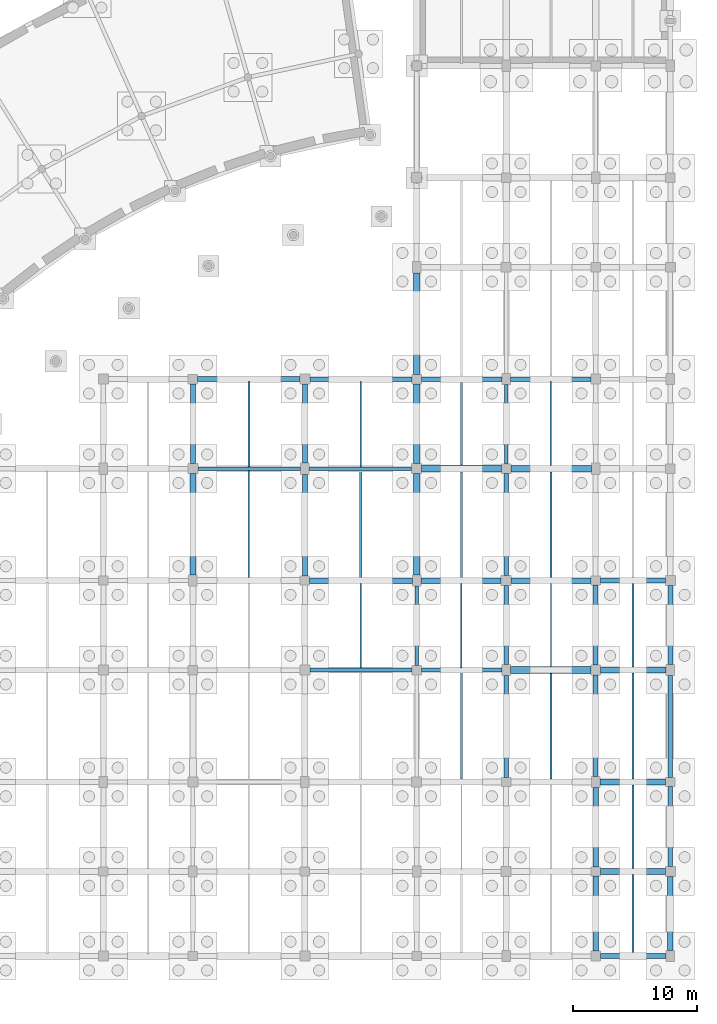
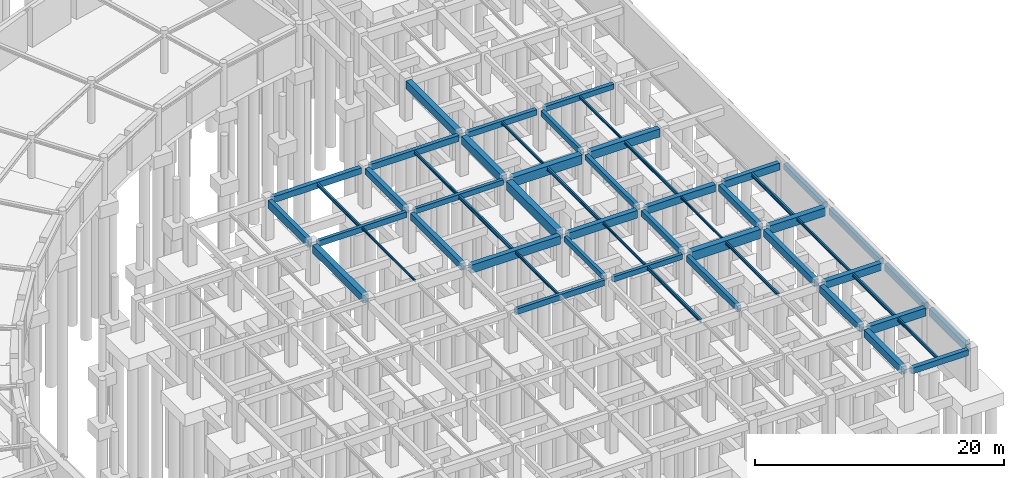
# One storey, part 25 of 42: 56 beams.
"""IFC4 building model written with IfcOpenShell, lengths in metres."""

from ifc_helpers import new_model, si_unit, direction, frame, origin, origin_2d, place, context, subcontext, project, spatial, rectangle, i_section, extrude, material, material_profile, profile_set, type_object, element, save


model = new_model("IFC4")

# Units and contexts
model_context = context("Model", 3, precision=1e-05, world=origin(), true_north=direction((0.0, 1.0)))
body_context = subcontext(model_context, "Body", "Model", "MODEL_VIEW")
ifc_project = project(units=[si_unit("LENGTHUNIT", "METRE"), si_unit("AREAUNIT", "SQUARE_METRE"), si_unit("VOLUMEUNIT", "CUBIC_METRE"), si_unit("PLANEANGLEUNIT", "RADIAN"), si_unit("MASSUNIT", "GRAM", prefix="KILO")], contexts=[model_context])

# Site, building, storey
site_placement = place(None, origin())
site = spatial("IfcSite", under=ifc_project, at=site_placement, CompositionType="ELEMENT")
building_placement = place(site_placement, origin())
building = spatial("IfcBuilding", under=site, at=building_placement, Name="Clarverna Civic Hall", CompositionType="ELEMENT")
storey_placement = place(building_placement, frame((0.0, 0.0, -4.199951171875)))
storey = spatial("IfcBuildingStorey", under=building, at=storey_placement, Name="B01", CompositionType="ELEMENT", Elevation=-4.199951171875)

# Beams
ifc_material_1 = material(Name="Concrete C35/45", Category="concrete")
ifc_material_profile_1 = material_profile(ifc_material_1, rectangle(XDim=0.35009765625, YDim=0.5, at=origin_2d()), Name="RC 350x500")
ifc_profile_set_1 = profile_set([ifc_material_profile_1], Name="Concrete C35/45")
beam_type_1 = type_object("IfcBeamType", Name="B-RC10", PredefinedType="BEAM", material=ifc_profile_set_1)
beam_1_placement = place(storey_placement, frame((155.14990234375, 46.39990234375, 3.699951171875), z_axis=(1.0, 0.0, 0.0), x_axis=(0.0, 1.0, 0.0)))
element("IfcBeam", 1, at=beam_1_placement, inside=storey, type_object=beam_type_1, Name="B-RC10-005", PredefinedType="BEAM", context=body_context, shape_type="SweptSolid", body=[
    extrude(rectangle(XDim=0.35009765625, YDim=0.5, at=origin_2d()), origin(), (0.0, 0.0, 1.0), 6.4501953125),
])
beam_2_placement = place(storey_placement, frame((154.800048828125, 30.60009765625, 3.699951171875), z_axis=(0.0, 1.0, 0.0), x_axis=(-1.0, 0.0, 0.0)))
element("IfcBeam", 2, at=beam_2_placement, inside=storey, type_object=beam_type_1, Name="B-RC10-016", PredefinedType="BEAM", context=body_context, shape_type="SweptSolid", body=[
    extrude(rectangle(XDim=0.35009765625, YDim=0.5, at=origin_2d()), origin(), (0.0, 0.0, 1.0), 8.224853515625),
])
ifc_material_profile_2 = material_profile(ifc_material_1, rectangle(XDim=0.300048828125, YDim=0.550048828125, at=origin_2d()), Name="RC 300x550")
ifc_profile_set_2 = profile_set([ifc_material_profile_2], Name="Concrete C35/45")
beam_type_2 = type_object("IfcBeamType", Name="B-RC11", PredefinedType="BEAM", material=ifc_profile_set_2)
beam_3_placement = place(storey_placement, frame((139.0, 23.0, 3.675048828125), z_axis=(1.0, 0.0, 0.0), x_axis=(0.0, 1.0, 0.0)))
element("IfcBeam", 3, at=beam_3_placement, inside=storey, type_object=beam_type_2, Name="B-RC11-003", PredefinedType="BEAM", context=body_context, shape_type="SweptSolid", body=[
    extrude(rectangle(XDim=0.300048828125, YDim=0.550048828125, at=origin_2d()), origin(), (0.0, 0.0, 1.0), 8.22509765625),
])
beam_4_placement = place(storey_placement, frame((130.0, 39.199951171875, 3.675048828125), z_axis=(1.0, 0.0, 0.0), x_axis=(0.0, 1.0, 0.0)))
element("IfcBeam", 4, at=beam_4_placement, inside=storey, type_object=beam_type_2, Name="B-RC11-004", PredefinedType="BEAM", context=body_context, shape_type="SweptSolid", body=[
    extrude(rectangle(XDim=0.300048828125, YDim=0.550048828125, at=origin_2d()), origin(), (0.0, 0.0, 1.0), 8.25),
])
beam_5_placement = place(storey_placement, frame((154.800048828125, 39.574951171875, 3.675048828125), z_axis=(0.0, 1.0, 0.0), x_axis=(-1.0, 0.0, 0.0)))
element("IfcBeam", 5, at=beam_5_placement, inside=storey, type_object=beam_type_2, Name="B-RC11-016", PredefinedType="BEAM", context=body_context, shape_type="SweptSolid", body=[
    extrude(rectangle(XDim=0.300048828125, YDim=0.550048828125, at=origin_2d()), origin(), (0.0, 0.0, 1.0), 6.375),
])
ifc_material_profile_3 = material_profile(ifc_material_1, rectangle(XDim=0.300048828125, YDim=0.5, at=origin_2d()), Name="RC 300x500")
ifc_profile_set_3 = profile_set([ifc_material_profile_3], Name="Concrete C35/45")
beam_type_3 = type_object("IfcBeamType", Name="B-RC12", PredefinedType="BEAM", material=ifc_profile_set_3)
beam_6_placement = place(storey_placement, frame((147.97509765625, 23.0, 3.699951171875), z_axis=(1.0, 0.0, 0.0), x_axis=(0.0, 1.0, 0.0)))
element("IfcBeam", 6, at=beam_6_placement, inside=storey, type_object=beam_type_3, Name="B-RC12-003", PredefinedType="BEAM", context=body_context, shape_type="SweptSolid", body=[
    extrude(rectangle(XDim=0.300048828125, YDim=0.5, at=origin_2d()), origin(), (0.0, 0.0, 1.0), 6.474853515625),
])
beam_7_placement = place(storey_placement, frame((138.949951171875, 39.199951171875, 3.699951171875), z_axis=(1.0, 0.0, 0.0), x_axis=(0.0, 1.0, 0.0)))
element("IfcBeam", 7, at=beam_7_placement, inside=storey, type_object=beam_type_3, Name="B-RC12-004", PredefinedType="BEAM", context=body_context, shape_type="SweptSolid", body=[
    extrude(rectangle(XDim=0.300048828125, YDim=0.5, at=origin_2d()), origin(), (0.0, 0.0, 1.0), 8.25),
])
beam_8_placement = place(storey_placement, frame((147.60009765625, 23.375, 3.699951171875), z_axis=(0.0, 1.0, 0.0), x_axis=(-1.0, 0.0, 0.0)))
element("IfcBeam", 8, at=beam_8_placement, inside=storey, type_object=beam_type_3, Name="B-RC12-016", PredefinedType="BEAM", context=body_context, shape_type="SweptSolid", body=[
    extrude(rectangle(XDim=0.300048828125, YDim=0.5, at=origin_2d()), origin(), (0.0, 0.0, 1.0), 6.375),
])
ifc_material_profile_4 = material_profile(ifc_material_1, rectangle(XDim=0.550048828125, YDim=0.89990234375, at=origin_2d()), Name="RC 550x900")
ifc_profile_set_4 = profile_set([ifc_material_profile_4], Name="Concrete C35/45")
beam_type_4 = type_object("IfcBeamType", Name="B-RC13", PredefinedType="BEAM", material=ifc_profile_set_4)
beam_9_placement = place(storey_placement, frame((155.14990234375, 23.0, 3.5), z_axis=(1.0, 0.0, 0.0), x_axis=(0.0, 1.0, 0.0)))
element("IfcBeam", 9, at=beam_9_placement, inside=storey, type_object=beam_type_4, Name="B-RC13-003", PredefinedType="BEAM", context=body_context, shape_type="SweptSolid", body=[
    extrude(rectangle(XDim=0.550048828125, YDim=0.89990234375, at=origin_2d()), origin(), (0.0, 0.0, 1.0), 6.4501953125),
])
beam_10_placement = place(storey_placement, frame((148.0, 39.199951171875, 3.5), z_axis=(1.0, 0.0, 0.0), x_axis=(0.0, 1.0, 0.0)))
element("IfcBeam", 10, at=beam_10_placement, inside=storey, type_object=beam_type_4, Name="B-RC13-004", PredefinedType="BEAM", context=body_context, shape_type="SweptSolid", body=[
    extrude(rectangle(XDim=0.550048828125, YDim=0.89990234375, at=origin_2d()), origin(), (0.0, 0.0, 1.0), 6.425048828125),
])
beam_11_placement = place(storey_placement, frame((147.60009765625, 30.64990234375, 3.5), z_axis=(0.0, 1.0, 0.0), x_axis=(-1.0, 0.0, 0.0)))
element("IfcBeam", 11, at=beam_11_placement, inside=storey, type_object=beam_type_4, Name="B-RC13-014", PredefinedType="BEAM", context=body_context, shape_type="SweptSolid", body=[
    extrude(rectangle(XDim=0.550048828125, YDim=0.89990234375, at=origin_2d()), origin(), (0.0, 0.0, 1.0), 8.150146484375),
])
ifc_material_profile_5 = material_profile(ifc_material_1, rectangle(XDim=0.5, YDim=0.800048828125, at=origin_2d()), Name="RC 500x800")
ifc_profile_set_5 = profile_set([ifc_material_profile_5], Name="Concrete C35/45")
beam_type_5 = type_object("IfcBeamType", Name="B-RC14", PredefinedType="BEAM", material=ifc_profile_set_5)
beam_12_placement = place(storey_placement, frame((162.39990234375, 23.0, 3.550048828125), z_axis=(1.0, 0.0, 0.0), x_axis=(0.0, 1.0, 0.0)))
element("IfcBeam", 12, at=beam_12_placement, inside=storey, type_object=beam_type_5, Name="B-RC14-003", PredefinedType="BEAM", context=body_context, shape_type="SweptSolid", body=[
    extrude(rectangle(XDim=0.5, YDim=0.800048828125, at=origin_2d()), origin(), (0.0, 0.0, 1.0), 5.25),
])
beam_13_placement = place(storey_placement, frame((155.175048828125, 39.199951171875, 3.550048828125), z_axis=(1.0, 0.0, 0.0), x_axis=(0.0, 1.0, 0.0)))
element("IfcBeam", 13, at=beam_13_placement, inside=storey, type_object=beam_type_5, Name="B-RC14-004", PredefinedType="BEAM", context=body_context, shape_type="SweptSolid", body=[
    extrude(rectangle(XDim=0.5, YDim=0.800048828125, at=origin_2d()), origin(), (0.0, 0.0, 1.0), 6.474853515625),
])
beam_14_placement = place(storey_placement, frame((147.60009765625, 39.60009765625, 3.550048828125), z_axis=(0.0, 1.0, 0.0), x_axis=(-1.0, 0.0, 0.0)))
element("IfcBeam", 14, at=beam_14_placement, inside=storey, type_object=beam_type_5, Name="B-RC14-015", PredefinedType="BEAM", context=body_context, shape_type="SweptSolid", body=[
    extrude(rectangle(XDim=0.5, YDim=0.800048828125, at=origin_2d()), origin(), (0.0, 0.0, 1.0), 6.4248046875),
])
ifc_material_profile_6 = material_profile(ifc_material_1, rectangle(XDim=0.5, YDim=0.75, at=origin_2d()), Name="RC 500x750")
ifc_profile_set_6 = profile_set([ifc_material_profile_6], Name="Concrete C35/45")
beam_type_6 = type_object("IfcBeamType", Name="B-RC15", PredefinedType="BEAM", material=ifc_profile_set_6)
beam_15_placement = place(storey_placement, frame((129.60009765625, 30.64990234375, 3.574951171875), z_axis=(0.0, 1.0, 0.0), x_axis=(-1.0, 0.0, 0.0)))
element("IfcBeam", 15, at=beam_15_placement, inside=storey, type_object=beam_type_6, Name="B-RC15-014", PredefinedType="BEAM", context=body_context, shape_type="SweptSolid", body=[
    extrude(rectangle(XDim=0.5, YDim=0.75, at=origin_2d()), origin(), (0.0, 0.0, 1.0), 8.150146484375),
])
beam_16_placement = place(storey_placement, frame((147.60009765625, 46.77490234375, 3.574951171875), z_axis=(0.0, 1.0, 0.0), x_axis=(-1.0, 0.0, 0.0)))
element("IfcBeam", 16, at=beam_16_placement, inside=storey, type_object=beam_type_6, Name="B-RC15-015", PredefinedType="BEAM", context=body_context, shape_type="SweptSolid", body=[
    extrude(rectangle(XDim=0.5, YDim=0.75, at=origin_2d()), origin(), (0.0, 0.0, 1.0), 8.175048828125),
])
ifc_material_profile_7 = material_profile(ifc_material_1, rectangle(XDim=0.39990234375, YDim=0.75, at=origin_2d()), Name="RC 400x750")
ifc_profile_set_7 = profile_set([ifc_material_profile_7], Name="Concrete C35/45")
beam_type_7 = type_object("IfcBeamType", Name="B-RC16", PredefinedType="BEAM", material=ifc_profile_set_7)
beam_17_placement = place(storey_placement, frame((129.60009765625, 39.60009765625, 3.574951171875), z_axis=(0.0, 1.0, 0.0), x_axis=(-1.0, 0.0, 0.0)))
element("IfcBeam", 17, at=beam_17_placement, inside=storey, type_object=beam_type_7, Name="B-RC16-014", PredefinedType="BEAM", context=body_context, shape_type="SweptSolid", body=[
    extrude(rectangle(XDim=0.39990234375, YDim=0.75, at=origin_2d()), origin(), (0.0, 0.0, 1.0), 6.4248046875),
])
ifc_material_profile_8 = material_profile(ifc_material_1, rectangle(XDim=0.449951171875, YDim=0.800048828125, at=origin_2d()), Name="RC 450x800")
ifc_profile_set_8 = profile_set([ifc_material_profile_8], Name="Concrete C35/45")
beam_type_8 = type_object("IfcBeamType", Name="B-RC2", PredefinedType="BEAM", material=ifc_profile_set_8)
beam_18_placement = place(storey_placement, frame((162.375, 6.800048828125, 3.550048828125), z_axis=(1.0, 0.0, 0.0), x_axis=(0.0, 1.0, 0.0)))
element("IfcBeam", 18, at=beam_18_placement, inside=storey, type_object=beam_type_8, Name="B-RC2-001", PredefinedType="BEAM", context=body_context, shape_type="SweptSolid", body=[
    extrude(rectangle(XDim=0.449951171875, YDim=0.800048828125, at=origin_2d()), origin(), (0.0, 0.0, 1.0), 5.22509765625),
])
beam_19_placement = place(storey_placement, frame((138.97509765625, 30.199951171875, 3.550048828125), z_axis=(1.0, 0.0, 0.0), x_axis=(0.0, 1.0, 0.0)))
element("IfcBeam", 19, at=beam_19_placement, inside=storey, type_object=beam_type_8, Name="B-RC2-003", PredefinedType="BEAM", context=body_context, shape_type="SweptSolid", body=[
    extrude(rectangle(XDim=0.449951171875, YDim=0.800048828125, at=origin_2d()), origin(), (0.0, 0.0, 1.0), 8.27490234375),
])
ifc_material_profile_9 = material_profile(ifc_material_1, rectangle(XDim=0.449951171875, YDim=0.75, at=origin_2d()), Name="RC 450x750")
ifc_profile_set_9 = profile_set([ifc_material_profile_9], Name="Concrete C35/45")
beam_type_9 = type_object("IfcBeamType", Name="B-RC3", PredefinedType="BEAM", material=ifc_profile_set_9)
beam_20_placement = place(storey_placement, frame((147.949951171875, 30.199951171875, 3.574951171875), z_axis=(1.0, 0.0, 0.0), x_axis=(0.0, 1.0, 0.0)))
element("IfcBeam", 20, at=beam_20_placement, inside=storey, type_object=beam_type_9, Name="B-RC3-004", PredefinedType="BEAM", context=body_context, shape_type="SweptSolid", body=[
    extrude(rectangle(XDim=0.449951171875, YDim=0.75, at=origin_2d()), origin(), (0.0, 0.0, 1.0), 6.449951171875),
])
beam_21_placement = place(storey_placement, frame((162.0, 0.39990234375, 3.574951171875), z_axis=(0.0, 1.0, 0.0), x_axis=(-1.0, 0.0, 0.0)))
element("IfcBeam", 21, at=beam_21_placement, inside=storey, type_object=beam_type_9, Name="B-RC3-013", PredefinedType="BEAM", context=body_context, shape_type="SweptSolid", body=[
    extrude(rectangle(XDim=0.449951171875, YDim=0.75, at=origin_2d()), origin(), (0.0, 0.0, 1.0), 6.025146484375),
])
ifc_material_profile_10 = material_profile(ifc_material_1, rectangle(XDim=0.449951171875, YDim=0.699951171875, at=origin_2d()), Name="RC 450x700")
ifc_profile_set_10 = profile_set([ifc_material_profile_10], Name="Concrete C35/45")
beam_type_10 = type_object("IfcBeamType", Name="B-RC4", PredefinedType="BEAM", material=ifc_profile_set_10)
beam_22_placement = place(storey_placement, frame((162.35009765625, 14.0, 3.599853515625), z_axis=(1.0, 0.0, 0.0), x_axis=(0.0, 1.0, 0.0)))
element("IfcBeam", 22, at=beam_22_placement, inside=storey, type_object=beam_type_10, Name="B-RC4-003", PredefinedType="BEAM", context=body_context, shape_type="SweptSolid", body=[
    extrude(rectangle(XDim=0.449951171875, YDim=0.699951171875, at=origin_2d()), origin(), (0.0, 0.0, 1.0), 5.27490234375),
])
beam_23_placement = place(storey_placement, frame((155.199951171875, 30.199951171875, 3.599853515625), z_axis=(1.0, 0.0, 0.0), x_axis=(0.0, 1.0, 0.0)))
element("IfcBeam", 23, at=beam_23_placement, inside=storey, type_object=beam_type_10, Name="B-RC4-004", PredefinedType="BEAM", context=body_context, shape_type="SweptSolid", body=[
    extrude(rectangle(XDim=0.449951171875, YDim=0.699951171875, at=origin_2d()), origin(), (0.0, 0.0, 1.0), 6.425048828125),
])
beam_24_placement = place(storey_placement, frame((162.0, 7.175048828125, 3.599853515625), z_axis=(0.0, 1.0, 0.0), x_axis=(-1.0, 0.0, 0.0)))
element("IfcBeam", 24, at=beam_24_placement, inside=storey, type_object=beam_type_10, Name="B-RC4-016", PredefinedType="BEAM", context=body_context, shape_type="SweptSolid", body=[
    extrude(rectangle(XDim=0.449951171875, YDim=0.699951171875, at=origin_2d()), origin(), (0.0, 0.0, 1.0), 6.375),
])
ifc_material_profile_11 = material_profile(ifc_material_1, rectangle(XDim=0.39990234375, YDim=0.699951171875, at=origin_2d()), Name="RC 400x700")
ifc_profile_set_11 = profile_set([ifc_material_profile_11], Name="Concrete C35/45")
beam_type_11 = type_object("IfcBeamType", Name="B-RC5", PredefinedType="BEAM", material=ifc_profile_set_11)
beam_25_placement = place(storey_placement, frame((162.375, 30.199951171875, 3.599853515625), z_axis=(1.0, 0.0, 0.0), x_axis=(0.0, 1.0, 0.0)))
element("IfcBeam", 25, at=beam_25_placement, inside=storey, type_object=beam_type_11, Name="B-RC5-004", PredefinedType="BEAM", context=body_context, shape_type="SweptSolid", body=[
    extrude(rectangle(XDim=0.39990234375, YDim=0.699951171875, at=origin_2d()), origin(), (0.0, 0.0, 1.0), 5.22509765625),
])
beam_26_placement = place(storey_placement, frame((162.0, 14.449951171875, 3.599853515625), z_axis=(0.0, 1.0, 0.0), x_axis=(-1.0, 0.0, 0.0)))
element("IfcBeam", 26, at=beam_26_placement, inside=storey, type_object=beam_type_11, Name="B-RC5-017", PredefinedType="BEAM", context=body_context, shape_type="SweptSolid", body=[
    extrude(rectangle(XDim=0.39990234375, YDim=0.699951171875, at=origin_2d()), origin(), (0.0, 0.0, 1.0), 8.150146484375),
])
ifc_material_profile_12 = material_profile(ifc_material_1, rectangle(XDim=0.39990234375, YDim=0.64990234375, at=origin_2d()), Name="RC 400x650")
ifc_profile_set_12 = profile_set([ifc_material_profile_12], Name="Concrete C35/45")
beam_type_12 = type_object("IfcBeamType", Name="B-RC6", PredefinedType="BEAM", material=ifc_profile_set_12)
beam_27_placement = place(storey_placement, frame((138.60009765625, 30.574951171875, 3.625), z_axis=(0.0, 1.0, 0.0), x_axis=(-1.0, 0.0, 0.0)))
element("IfcBeam", 27, at=beam_27_placement, inside=storey, type_object=beam_type_12, Name="B-RC6-013", PredefinedType="BEAM", context=body_context, shape_type="SweptSolid", body=[
    extrude(rectangle(XDim=0.39990234375, YDim=0.64990234375, at=origin_2d()), origin(), (0.0, 0.0, 1.0), 8.175048828125),
])
beam_28_placement = place(storey_placement, frame((162.0, 23.39990234375, 3.625), z_axis=(0.0, 1.0, 0.0), x_axis=(-1.0, 0.0, 0.0)))
element("IfcBeam", 28, at=beam_28_placement, inside=storey, type_object=beam_type_12, Name="B-RC6-015", PredefinedType="BEAM", context=body_context, shape_type="SweptSolid", body=[
    extrude(rectangle(XDim=0.39990234375, YDim=0.64990234375, at=origin_2d()), origin(), (0.0, 0.0, 1.0), 6.425048828125),
])
ifc_material_profile_13 = material_profile(ifc_material_1, rectangle(XDim=0.39990234375, YDim=0.60009765625, at=origin_2d()), Name="RC 400x600")
ifc_profile_set_13 = profile_set([ifc_material_profile_13], Name="Concrete C35/45")
beam_type_13 = type_object("IfcBeamType", Name="B-RC7", PredefinedType="BEAM", material=ifc_profile_set_13)
beam_29_placement = place(storey_placement, frame((129.97509765625, 46.39990234375, 3.64990234375), z_axis=(1.0, 0.0, 0.0), x_axis=(0.0, 1.0, 0.0)))
element("IfcBeam", 29, at=beam_29_placement, inside=storey, type_object=beam_type_13, Name="B-RC7-004", PredefinedType="BEAM", context=body_context, shape_type="SweptSolid", body=[
    extrude(rectangle(XDim=0.39990234375, YDim=0.60009765625, at=origin_2d()), origin(), (0.0, 0.0, 1.0), 8.224853515625),
])
beam_30_placement = place(storey_placement, frame((138.60009765625, 39.64990234375, 3.64990234375), z_axis=(0.0, 1.0, 0.0), x_axis=(-1.0, 0.0, 0.0)))
element("IfcBeam", 30, at=beam_30_placement, inside=storey, type_object=beam_type_13, Name="B-RC7-014", PredefinedType="BEAM", context=body_context, shape_type="SweptSolid", body=[
    extrude(rectangle(XDim=0.39990234375, YDim=0.60009765625, at=origin_2d()), origin(), (0.0, 0.0, 1.0), 6.35009765625),
])
ifc_material_profile_14 = material_profile(ifc_material_1, rectangle(XDim=0.35009765625, YDim=0.60009765625, at=origin_2d()), Name="RC 350x600")
ifc_profile_set_14 = profile_set([ifc_material_profile_14], Name="Concrete C35/45")
beam_type_14 = type_object("IfcBeamType", Name="B-RC8", PredefinedType="BEAM", material=ifc_profile_set_14)
beam_31_placement = place(storey_placement, frame((139.0, 46.39990234375, 3.64990234375), z_axis=(1.0, 0.0, 0.0), x_axis=(0.0, 1.0, 0.0)))
element("IfcBeam", 31, at=beam_31_placement, inside=storey, type_object=beam_type_14, Name="B-RC8-004", PredefinedType="BEAM", context=body_context, shape_type="SweptSolid", body=[
    extrude(rectangle(XDim=0.35009765625, YDim=0.60009765625, at=origin_2d()), origin(), (0.0, 0.0, 1.0), 8.22509765625),
])
beam_32_placement = place(storey_placement, frame((154.800048828125, 14.375, 3.64990234375), z_axis=(0.0, 1.0, 0.0), x_axis=(-1.0, 0.0, 0.0)))
element("IfcBeam", 32, at=beam_32_placement, inside=storey, type_object=beam_type_14, Name="B-RC8-015", PredefinedType="BEAM", context=body_context, shape_type="SweptSolid", body=[
    extrude(rectangle(XDim=0.35009765625, YDim=0.60009765625, at=origin_2d()), origin(), (0.0, 0.0, 1.0), 8.175048828125),
])
ifc_material_profile_15 = material_profile(ifc_material_1, rectangle(XDim=0.35009765625, YDim=0.550048828125, at=origin_2d()), Name="RC 350x550")
ifc_profile_set_15 = profile_set([ifc_material_profile_15], Name="Concrete C35/45")
beam_type_15 = type_object("IfcBeamType", Name="B-RC9", PredefinedType="BEAM", material=ifc_profile_set_15)
beam_33_placement = place(storey_placement, frame((147.97509765625, 46.39990234375, 3.675048828125), z_axis=(1.0, 0.0, 0.0), x_axis=(0.0, 1.0, 0.0)))
element("IfcBeam", 33, at=beam_33_placement, inside=storey, type_object=beam_type_15, Name="B-RC9-005", PredefinedType="BEAM", context=body_context, shape_type="SweptSolid", body=[
    extrude(rectangle(XDim=0.35009765625, YDim=0.550048828125, at=origin_2d()), origin(), (0.0, 0.0, 1.0), 6.474853515625),
])
beam_34_placement = place(storey_placement, frame((154.800048828125, 23.449951171875, 3.675048828125), z_axis=(0.0, 1.0, 0.0), x_axis=(-1.0, 0.0, 0.0)))
element("IfcBeam", 34, at=beam_34_placement, inside=storey, type_object=beam_type_15, Name="B-RC9-015", PredefinedType="BEAM", context=body_context, shape_type="SweptSolid", body=[
    extrude(rectangle(XDim=0.35009765625, YDim=0.550048828125, at=origin_2d()), origin(), (0.0, 0.0, 1.0), 6.35009765625),
])
ifc_material_profile_16 = material_profile(ifc_material_1, rectangle(XDim=0.419921875, YDim=0.719970703125, at=origin_2d()), Name="RC 420x720")
ifc_profile_set_16 = profile_set([ifc_material_profile_16], Name="Concrete C35/45")
beam_type_16 = type_object("IfcBeamType", Name="B-SP1", PredefinedType="SPANDREL", material=ifc_profile_set_16)
beam_35_placement = place(storey_placement, frame((168.0, 0.449951171875, 3.58984375), z_axis=(0.0, 1.0, 0.0), x_axis=(-1.0, 0.0, 0.0)))
element("IfcBeam", 35, at=beam_35_placement, inside=storey, type_object=beam_type_16, Name="B-SP1-030", PredefinedType="SPANDREL", context=body_context, shape_type="SweptSolid", body=[
    extrude(rectangle(XDim=0.419921875, YDim=0.719970703125, at=origin_2d()), origin(), (0.0, 0.0, 1.0), 5.949951171875),
])
ifc_material_profile_17 = material_profile(ifc_material_1, rectangle(XDim=0.3798828125, YDim=0.679931640625, at=origin_2d()), Name="RC 380x680")
ifc_profile_set_17 = profile_set([ifc_material_profile_17], Name="Concrete C35/45")
beam_type_17 = type_object("IfcBeamType", Name="B-SP2", PredefinedType="SPANDREL", material=ifc_profile_set_17)
beam_36_placement = place(storey_placement, frame((168.0, 7.199951171875, 3.60986328125), z_axis=(0.0, 1.0, 0.0), x_axis=(-1.0, 0.0, 0.0)))
element("IfcBeam", 36, at=beam_36_placement, inside=storey, type_object=beam_type_17, Name="B-SP2-029", PredefinedType="SPANDREL", context=body_context, shape_type="SweptSolid", body=[
    extrude(rectangle(XDim=0.3798828125, YDim=0.679931640625, at=origin_2d()), origin(), (0.0, 0.0, 1.0), 6.425048828125),
])
ifc_material_profile_18 = material_profile(ifc_material_1, rectangle(XDim=0.360107421875, YDim=0.6201171875, at=origin_2d()), Name="RC 360x620")
ifc_profile_set_18 = profile_set([ifc_material_profile_18], Name="Concrete C35/45")
beam_type_18 = type_object("IfcBeamType", Name="B-SP3", PredefinedType="SPANDREL", material=ifc_profile_set_18)
beam_37_placement = place(storey_placement, frame((168.0, 14.375, 3.639892578125), z_axis=(0.0, 1.0, 0.0), x_axis=(-1.0, 0.0, 0.0)))
element("IfcBeam", 37, at=beam_37_placement, inside=storey, type_object=beam_type_18, Name="B-SP3-029", PredefinedType="SPANDREL", context=body_context, shape_type="SweptSolid", body=[
    extrude(rectangle(XDim=0.360107421875, YDim=0.6201171875, at=origin_2d()), origin(), (0.0, 0.0, 1.0), 8.175048828125),
])
ifc_material_profile_19 = material_profile(ifc_material_1, rectangle(XDim=0.39990234375, YDim=0.56005859375, at=origin_2d()), Name="RC 400x560")
ifc_profile_set_19 = profile_set([ifc_material_profile_19], Name="Concrete C35/45")
beam_type_19 = type_object("IfcBeamType", Name="B-SP4", PredefinedType="SPANDREL", material=ifc_profile_set_19)
beam_38_placement = place(storey_placement, frame((162.39990234375, 0.0, 3.669921875), z_axis=(1.0, 0.0, 0.0), x_axis=(0.0, 1.0, 0.0)))
element("IfcBeam", 38, at=beam_38_placement, inside=storey, type_object=beam_type_19, Name="B-SP4-005", PredefinedType="SPANDREL", context=body_context, shape_type="SweptSolid", body=[
    extrude(rectangle(XDim=0.39990234375, YDim=0.56005859375, at=origin_2d()), origin(), (0.0, 0.0, 1.0), 5.25),
])
beam_39_placement = place(storey_placement, frame((168.0, 23.449951171875, 3.669921875), z_axis=(0.0, 1.0, 0.0), x_axis=(-1.0, 0.0, 0.0)))
element("IfcBeam", 39, at=beam_39_placement, inside=storey, type_object=beam_type_19, Name="B-SP4-030", PredefinedType="SPANDREL", context=body_context, shape_type="SweptSolid", body=[
    extrude(rectangle(XDim=0.39990234375, YDim=0.56005859375, at=origin_2d()), origin(), (0.0, 0.0, 1.0), 6.35009765625),
])
ifc_material_2 = material(Name="Steel S355", Category="steel")
ifc_material_profile_20 = material_profile(ifc_material_2, i_section(OverallWidth=0.169921875, OverallDepth=0.360107421875, WebThickness=0.008056640625, FlangeThickness=0.0126953125, FilletRadius=0.01806640625, at=origin_2d()), Name="IPE 360")
ifc_profile_set_20 = profile_set([ifc_material_profile_20], Name="Steel S355")
beam_type_20 = type_object("IfcBeamType", Name="J-ST1", PredefinedType="JOIST", material=ifc_profile_set_20)
beam_40_placement = place(storey_placement, frame((165.0, 23.25, 3.77001953125), z_axis=(0.0, 1.0, 0.0), x_axis=(-1.0, 0.0, 0.0)))
element("IfcBeam", 40, at=beam_40_placement, inside=storey, type_object=beam_type_20, Name="J-ST1-009", PredefinedType="JOIST", context=body_context, shape_type="SweptSolid", body=[
    extrude(i_section(OverallWidth=0.169921875, OverallDepth=0.360107421875, WebThickness=0.008056640625, FlangeThickness=0.0126953125, FilletRadius=0.01806640625, at=origin_2d()), origin(), (0.0, 0.0, 1.0), 6.75),
])
beam_41_placement = place(storey_placement, frame((143.10009765625, 30.425048828125, 3.77001953125), z_axis=(0.0, 1.0, 0.0), x_axis=(-1.0, 0.0, 0.0)))
element("IfcBeam", 41, at=beam_41_placement, inside=storey, type_object=beam_type_20, Name="J-ST1-010", PredefinedType="JOIST", context=body_context, shape_type="SweptSolid", body=[
    extrude(i_section(OverallWidth=0.169921875, OverallDepth=0.360107421875, WebThickness=0.008056640625, FlangeThickness=0.0126953125, FilletRadius=0.01806640625, at=origin_2d()), origin(), (0.0, 0.0, 1.0), 8.625),
])
ifc_material_profile_21 = material_profile(ifc_material_2, i_section(OverallWidth=0.159912109375, OverallDepth=0.330078125, WebThickness=0.007568359375, FlangeThickness=0.011474609375, FilletRadius=0.01806640625, at=origin_2d()), Name="IPE 330")
ifc_profile_set_21 = profile_set([ifc_material_profile_21], Name="Steel S355")
beam_type_21 = type_object("IfcBeamType", Name="J-ST2", PredefinedType="JOIST", material=ifc_profile_set_21)
beam_42_placement = place(storey_placement, frame((165.0, 7.02490234375, 3.784912109375), z_axis=(0.0, 1.0, 0.0), x_axis=(-1.0, 0.0, 0.0)))
element("IfcBeam", 42, at=beam_42_placement, inside=storey, type_object=beam_type_21, Name="J-ST2-006", PredefinedType="JOIST", context=body_context, shape_type="SweptSolid", body=[
    extrude(i_section(OverallWidth=0.159912109375, OverallDepth=0.330078125, WebThickness=0.007568359375, FlangeThickness=0.011474609375, FilletRadius=0.01806640625, at=origin_2d()), origin(), (0.0, 0.0, 1.0), 6.75),
])
beam_43_placement = place(storey_placement, frame((151.199951171875, 14.22509765625, 3.784912109375), z_axis=(0.0, 1.0, 0.0), x_axis=(-1.0, 0.0, 0.0)))
element("IfcBeam", 43, at=beam_43_placement, inside=storey, type_object=beam_type_21, Name="J-ST2-007", PredefinedType="JOIST", context=body_context, shape_type="SweptSolid", body=[
    extrude(i_section(OverallWidth=0.159912109375, OverallDepth=0.330078125, WebThickness=0.007568359375, FlangeThickness=0.011474609375, FilletRadius=0.01806640625, at=origin_2d()), origin(), (0.0, 0.0, 1.0), 8.625),
])
beam_44_placement = place(storey_placement, frame((151.199951171875, 30.425048828125, 3.784912109375), z_axis=(0.0, 1.0, 0.0), x_axis=(-1.0, 0.0, 0.0)))
element("IfcBeam", 44, at=beam_44_placement, inside=storey, type_object=beam_type_21, Name="J-ST2-009", PredefinedType="JOIST", context=body_context, shape_type="SweptSolid", body=[
    extrude(i_section(OverallWidth=0.159912109375, OverallDepth=0.330078125, WebThickness=0.007568359375, FlangeThickness=0.011474609375, FilletRadius=0.01806640625, at=origin_2d()), origin(), (0.0, 0.0, 1.0), 8.5),
])
beam_45_placement = place(storey_placement, frame((134.10009765625, 39.35009765625, 3.784912109375), z_axis=(0.0, 1.0, 0.0), x_axis=(-1.0, 0.0, 0.0)))
element("IfcBeam", 45, at=beam_45_placement, inside=storey, type_object=beam_type_21, Name="J-ST2-010", PredefinedType="JOIST", context=body_context, shape_type="SweptSolid", body=[
    extrude(i_section(OverallWidth=0.159912109375, OverallDepth=0.330078125, WebThickness=0.007568359375, FlangeThickness=0.011474609375, FilletRadius=0.01806640625, at=origin_2d()), origin(), (0.0, 0.0, 1.0), 6.849853515625),
])
ifc_material_profile_22 = material_profile(ifc_material_2, i_section(OverallWidth=0.14990234375, OverallDepth=0.300048828125, WebThickness=0.007080078125, FlangeThickness=0.0107421875, FilletRadius=0.014892578125, at=origin_2d()), Name="IPE 300")
ifc_profile_set_22 = profile_set([ifc_material_profile_22], Name="Steel S355")
beam_type_22 = type_object("IfcBeamType", Name="J-ST3", PredefinedType="JOIST", material=ifc_profile_set_22)
beam_46_placement = place(storey_placement, frame((165.0, 0.199951171875, 3.800048828125), z_axis=(0.0, 1.0, 0.0), x_axis=(-1.0, 0.0, 0.0)))
element("IfcBeam", 46, at=beam_46_placement, inside=storey, type_object=beam_type_22, Name="J-ST3-003", PredefinedType="JOIST", context=body_context, shape_type="SweptSolid", body=[
    extrude(i_section(OverallWidth=0.14990234375, OverallDepth=0.300048828125, WebThickness=0.007080078125, FlangeThickness=0.0107421875, FilletRadius=0.014892578125, at=origin_2d()), origin(), (0.0, 0.0, 1.0), 6.375),
])
beam_47_placement = place(storey_placement, frame((158.39990234375, 14.22509765625, 3.800048828125), z_axis=(0.0, 1.0, 0.0), x_axis=(-1.0, 0.0, 0.0)))
element("IfcBeam", 47, at=beam_47_placement, inside=storey, type_object=beam_type_22, Name="J-ST3-006", PredefinedType="JOIST", context=body_context, shape_type="SweptSolid", body=[
    extrude(i_section(OverallWidth=0.14990234375, OverallDepth=0.300048828125, WebThickness=0.007080078125, FlangeThickness=0.0107421875, FilletRadius=0.014892578125, at=origin_2d()), origin(), (0.0, 0.0, 1.0), 8.5),
])
beam_48_placement = place(storey_placement, frame((158.39990234375, 30.425048828125, 3.800048828125), z_axis=(0.0, 1.0, 0.0), x_axis=(-1.0, 0.0, 0.0)))
element("IfcBeam", 48, at=beam_48_placement, inside=storey, type_object=beam_type_22, Name="J-ST3-009", PredefinedType="JOIST", context=body_context, shape_type="SweptSolid", body=[
    extrude(i_section(OverallWidth=0.14990234375, OverallDepth=0.300048828125, WebThickness=0.007080078125, FlangeThickness=0.0107421875, FilletRadius=0.014892578125, at=origin_2d()), origin(), (0.0, 0.0, 1.0), 8.52490234375),
])
beam_49_placement = place(storey_placement, frame((143.10009765625, 39.35009765625, 3.800048828125), z_axis=(0.0, 1.0, 0.0), x_axis=(-1.0, 0.0, 0.0)))
element("IfcBeam", 49, at=beam_49_placement, inside=storey, type_object=beam_type_22, Name="J-ST3-010", PredefinedType="JOIST", context=body_context, shape_type="SweptSolid", body=[
    extrude(i_section(OverallWidth=0.14990234375, OverallDepth=0.300048828125, WebThickness=0.007080078125, FlangeThickness=0.0107421875, FilletRadius=0.014892578125, at=origin_2d()), origin(), (0.0, 0.0, 1.0), 6.875),
])
ifc_material_profile_23 = material_profile(ifc_material_2, i_section(OverallWidth=0.135009765625, OverallDepth=0.27001953125, WebThickness=0.006591796875, FlangeThickness=0.01025390625, FilletRadius=0.014892578125, at=origin_2d()), Name="IPE 270")
ifc_profile_set_23 = profile_set([ifc_material_profile_23], Name="Steel S355")
beam_type_23 = type_object("IfcBeamType", Name="J-ST4", PredefinedType="JOIST", material=ifc_profile_set_23)
beam_50_placement = place(storey_placement, frame((165.0, 14.22509765625, 3.81494140625), z_axis=(0.0, 1.0, 0.0), x_axis=(-1.0, 0.0, 0.0)))
element("IfcBeam", 50, at=beam_50_placement, inside=storey, type_object=beam_type_23, Name="J-ST4-008", PredefinedType="JOIST", context=body_context, shape_type="SweptSolid", body=[
    extrude(i_section(OverallWidth=0.135009765625, OverallDepth=0.27001953125, WebThickness=0.006591796875, FlangeThickness=0.01025390625, FilletRadius=0.014892578125, at=origin_2d()), origin(), (0.0, 0.0, 1.0), 8.52490234375),
])
beam_51_placement = place(storey_placement, frame((143.10009765625, 23.14990234375, 3.81494140625), z_axis=(0.0, 1.0, 0.0), x_axis=(-1.0, 0.0, 0.0)))
element("IfcBeam", 51, at=beam_51_placement, inside=storey, type_object=beam_type_23, Name="J-ST4-009", PredefinedType="JOIST", context=body_context, shape_type="SweptSolid", body=[
    extrude(i_section(OverallWidth=0.135009765625, OverallDepth=0.27001953125, WebThickness=0.006591796875, FlangeThickness=0.01025390625, FilletRadius=0.014892578125, at=origin_2d()), origin(), (0.0, 0.0, 1.0), 6.8251953125),
])
beam_52_placement = place(storey_placement, frame((151.199951171875, 39.47509765625, 3.81494140625), z_axis=(0.0, 1.0, 0.0), x_axis=(-1.0, 0.0, 0.0)))
element("IfcBeam", 52, at=beam_52_placement, inside=storey, type_object=beam_type_23, Name="J-ST4-012", PredefinedType="JOIST", context=body_context, shape_type="SweptSolid", body=[
    extrude(i_section(OverallWidth=0.135009765625, OverallDepth=0.27001953125, WebThickness=0.006591796875, FlangeThickness=0.01025390625, FilletRadius=0.014892578125, at=origin_2d()), origin(), (0.0, 0.0, 1.0), 6.75),
])
ifc_material_profile_24 = material_profile(ifc_material_2, i_section(OverallWidth=0.1201171875, OverallDepth=0.239990234375, WebThickness=0.006103515625, FlangeThickness=0.009765625, FilletRadius=0.014892578125, at=origin_2d()), Name="IPE 240")
ifc_profile_set_24 = profile_set([ifc_material_profile_24], Name="Steel S355")
beam_type_24 = type_object("IfcBeamType", Name="J-ST5", PredefinedType="JOIST", material=ifc_profile_set_24)
beam_53_placement = place(storey_placement, frame((151.199951171875, 23.14990234375, 3.829833984375), z_axis=(0.0, 1.0, 0.0), x_axis=(-1.0, 0.0, 0.0)))
element("IfcBeam", 53, at=beam_53_placement, inside=storey, type_object=beam_type_24, Name="J-ST5-008", PredefinedType="JOIST", context=body_context, shape_type="SweptSolid", body=[
    extrude(i_section(OverallWidth=0.1201171875, OverallDepth=0.239990234375, WebThickness=0.006103515625, FlangeThickness=0.009765625, FilletRadius=0.014892578125, at=origin_2d()), origin(), (0.0, 0.0, 1.0), 6.8251953125),
])
beam_54_placement = place(storey_placement, frame((158.39990234375, 39.449951171875, 3.829833984375), z_axis=(0.0, 1.0, 0.0), x_axis=(-1.0, 0.0, 0.0)))
element("IfcBeam", 54, at=beam_54_placement, inside=storey, type_object=beam_type_24, Name="J-ST5-010", PredefinedType="JOIST", context=body_context, shape_type="SweptSolid", body=[
    extrude(i_section(OverallWidth=0.1201171875, OverallDepth=0.239990234375, WebThickness=0.006103515625, FlangeThickness=0.009765625, FilletRadius=0.014892578125, at=origin_2d()), origin(), (0.0, 0.0, 1.0), 6.775146484375),
])
ifc_material_profile_25 = material_profile(ifc_material_2, i_section(OverallWidth=0.110107421875, OverallDepth=0.219970703125, WebThickness=0.005859375, FlangeThickness=0.00927734375, FilletRadius=0.011962890625, at=origin_2d()), Name="IPE 220")
ifc_profile_set_25 = profile_set([ifc_material_profile_25], Name="Steel S355")
beam_type_25 = type_object("IfcBeamType", Name="J-ST6", PredefinedType="JOIST", material=ifc_profile_set_25)
beam_55_placement = place(storey_placement, frame((158.39990234375, 23.27490234375, 3.83984375), z_axis=(0.0, 1.0, 0.0), x_axis=(-1.0, 0.0, 0.0)))
element("IfcBeam", 55, at=beam_55_placement, inside=storey, type_object=beam_type_25, Name="J-ST6-009", PredefinedType="JOIST", context=body_context, shape_type="SweptSolid", body=[
    extrude(i_section(OverallWidth=0.110107421875, OverallDepth=0.219970703125, WebThickness=0.005859375, FlangeThickness=0.00927734375, FilletRadius=0.011962890625, at=origin_2d()), origin(), (0.0, 0.0, 1.0), 6.7001953125),
])
beam_56_placement = place(storey_placement, frame((134.10009765625, 30.449951171875, 3.83984375), z_axis=(0.0, 1.0, 0.0), x_axis=(-1.0, 0.0, 0.0)))
element("IfcBeam", 56, at=beam_56_placement, inside=storey, type_object=beam_type_25, Name="J-ST6-010", PredefinedType="JOIST", context=body_context, shape_type="SweptSolid", body=[
    extrude(i_section(OverallWidth=0.110107421875, OverallDepth=0.219970703125, WebThickness=0.005859375, FlangeThickness=0.00927734375, FilletRadius=0.011962890625, at=origin_2d()), origin(), (0.0, 0.0, 1.0), 8.60009765625),
])

save(model, "model.ifc")
